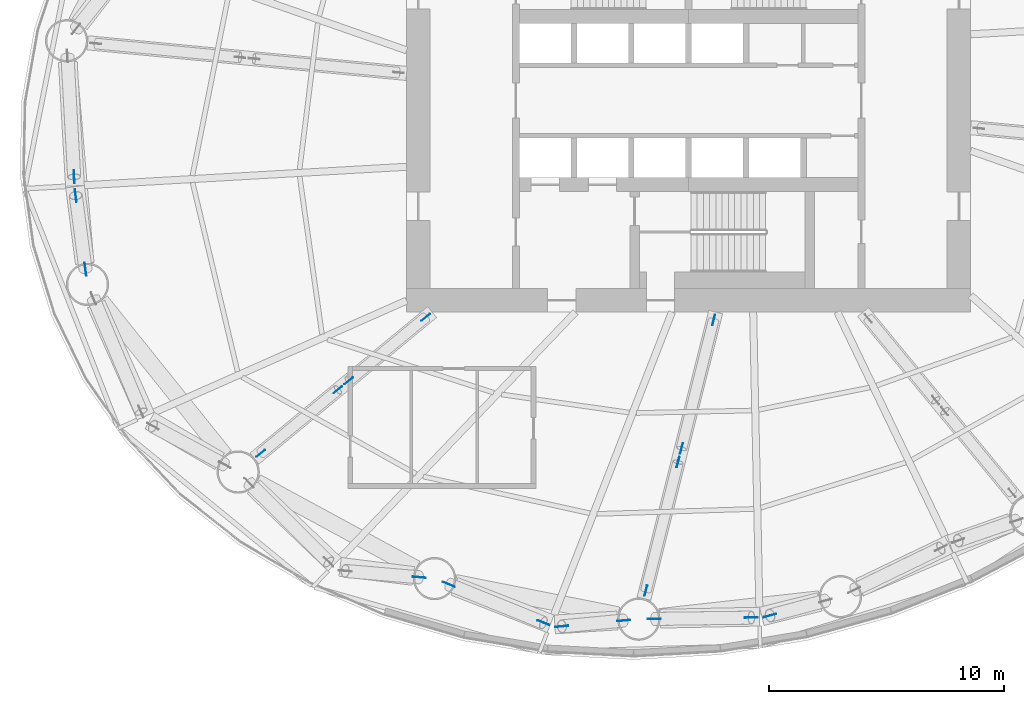
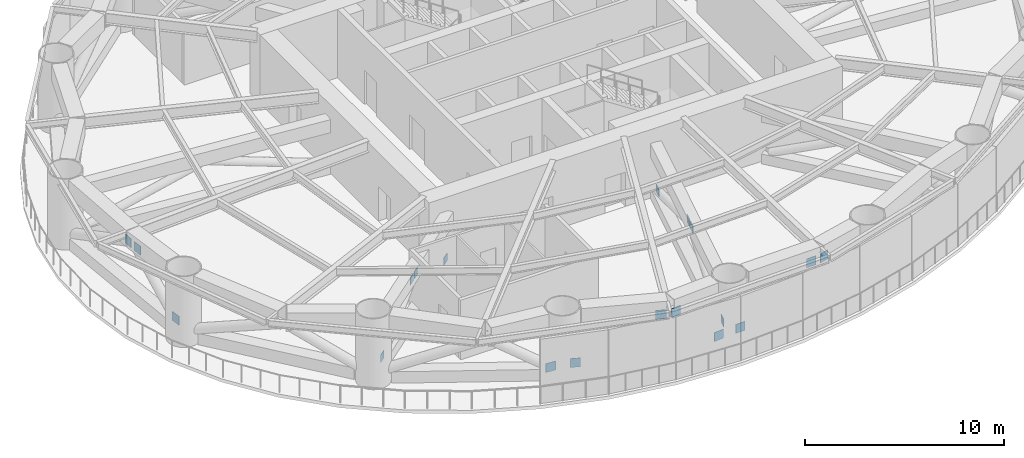
# One storey, part 8 of 15: 19 discrete accessories.
"""IFC4 building model written with IfcOpenShell, lengths in metres."""

from ifc_helpers import new_model, si_unit, direction, frame, origin, origin_2d, place, context, subcontext, project, spatial, rectangle, extrude, element, save


model = new_model("IFC4")

# Units and contexts
model_context = context("Model", 3, precision=1e-05, world=origin(), true_north=direction((0.0, 1.0)))
body_context = subcontext(model_context, "Body", "Model", "MODEL_VIEW")
ifc_project = project(units=[si_unit("LENGTHUNIT", "METRE"), si_unit("AREAUNIT", "SQUARE_METRE"), si_unit("VOLUMEUNIT", "CUBIC_METRE"), si_unit("PLANEANGLEUNIT", "RADIAN"), si_unit("MASSUNIT", "GRAM", prefix="KILO")], contexts=[model_context])

# Site, building, storey
site_placement = place(None, origin())
site = spatial("IfcSite", under=ifc_project, at=site_placement, CompositionType="ELEMENT")
building_placement = place(site_placement, origin())
building = spatial("IfcBuilding", under=site, at=building_placement, Name="Vermilion Reach Broadcast Tower", CompositionType="ELEMENT")
storey_placement = place(building_placement, frame((0.0, 0.0, 84.10009765625)))
storey = spatial("IfcBuildingStorey", under=building, at=storey_placement, Name="L18", CompositionType="ELEMENT", Elevation=84.10009765625)

# Discrete accessories
for number, where, z_axis, x_axis, name in (
    (1, (-32.14306640625, -3.24755859375, 3.06494140625), (0.0, 0.0, 1.0), (0.998466029998, 0.055367742783, 0.0), "Gusset plate BT1-D08A head"),
    (2, (-31.660400390625, -7.1796875, 0.52490234375), (0.0, 0.0, 1.0), (-0.991386214187, -0.130970891115, 0.0), "Gusset plate BT1-D08B foot"),
    (3, (-32.07470703125, -4.044677734375, 3.06494140625), (0.0, 0.0, 1.0), (-0.991386214187, -0.130970891115, 0.0), "Gusset plate BT1-D08B head"),
    (4, (-17.45751953125, -20.283203125, 0.52490234375), (0.0, 0.0, 1.0), (-0.085715343395, -0.99631966753, 0.0), "Gusset plate BT1-D10B foot"),
    (5, (-16.20751953125, -20.583251953125, 0.52490234375), (0.0, 0.0, 1.0), (0.3757466107, 0.926722442022, 0.0), "Gusset plate BT1-D11A foot"),
    (6, (-12.178955078125, -22.216552734375, 3.06494140625), (0.0, 0.0, 1.0), (0.3757466107, 0.926722442022, 0.0), "Gusset plate BT1-D11A head"),
    (7, (-8.767822265625, -22.124755859375, 0.52490234375), (0.0, 0.0, 1.0), (0.093823902801, -0.995588808326, 0.0), "Gusset plate BT1-D11B foot"),
    (8, (-11.394287109375, -22.372314453125, 3.06494140625), (0.0, 0.0, 1.0), (0.093823902801, -0.995588808326, 0.0), "Gusset plate BT1-D11B head"),
    (9, (-7.470703125, -22.05517578125, 0.52490234375), (0.0, 0.0, 1.0), (-0.01333886269, 0.999911033414, 0.0), "Gusset plate BT1-D12A foot"),
    (10, (-3.331298828125, -22.0, 3.06494140625), (0.0, 0.0, 1.0), (-0.01333886269, 0.999911033414, 0.0), "Gusset plate BT1-D12A head"),
    (11, (-2.536376953125, -21.911376953125, 3.06494140625), (0.0, 0.0, 1.0), (0.259159194295, -0.96583461939, 0.0), "Gusset plate BT1-D12B head"),
):
    element("IfcDiscreteAccessory", number, at=place(storey_placement, frame(where, z_axis=z_axis, x_axis=x_axis)), inside=storey, Name=name, PredefinedType="NOTDEFINED", context=body_context, shape_type="SweptSolid", body=[
        extrude(rectangle(XDim=0.02490234375, YDim=0.550048828125, at=origin_2d()), origin(), (0.0, 0.0, 1.0), 0.550048828125),
    ])
for number, where, z_axis, x_axis, name in (
    (12, (-17.18408203125, -9.22265625, 0.371337890625), (0.0, 0.0, 1.0), (0.636213281958, -0.771513227275, 0.0), "Gusset plate OR1-10-DA foot"),
    (13, (-20.46142578125, -11.92529296875, 2.3212890625), (0.0, 0.0, 1.0), (0.636213281958, -0.771513227275, 0.0), "Gusset plate OR1-10-DA head"),
    (14, (-24.201904296875, -15.009765625, 0.371337890625), (0.0, 0.0, 1.0), (0.636213281958, -0.771513227275, 0.0), "Gusset plate OR1-10-DB foot"),
    (15, (-20.92431640625, -12.30712890625, 2.3212890625), (0.0, 0.0, 1.0), (0.636213281958, -0.771513227275, 0.0), "Gusset plate OR1-10-DB head"),
    (16, (-4.93505859375, -9.339599609375, 0.371337890625), (0.0, 0.0, 1.0), (0.970061166863, -0.24286072664, 0.0), "Gusset plate OR1-12-DA foot"),
    (17, (-6.30322265625, -14.804443359375, 2.3212890625), (0.0, 0.0, 1.0), (0.970061166863, -0.24286072664, 0.0), "Gusset plate OR1-12-DA head"),
    (18, (-7.817138671875, -20.851318359375, 0.371337890625), (0.0, 0.0, 1.0), (0.970061166863, -0.24286072664, 0.0), "Gusset plate OR1-12-DB foot"),
    (19, (-6.448974609375, -15.386474609375, 2.3212890625), (0.0, 0.0, 1.0), (0.970061166863, -0.24286072664, 0.0), "Gusset plate OR1-12-DB head"),
):
    element("IfcDiscreteAccessory", number, at=place(storey_placement, frame(where, z_axis=z_axis, x_axis=x_axis)), inside=storey, Name=name, PredefinedType="NOTDEFINED", context=body_context, shape_type="SweptSolid", body=[
        extrude(rectangle(XDim=0.02490234375, YDim=0.45703125, at=origin_2d()), origin(), (0.0, 0.0, 1.0), 0.45703125),
    ])

save(model, "model.ifc")
